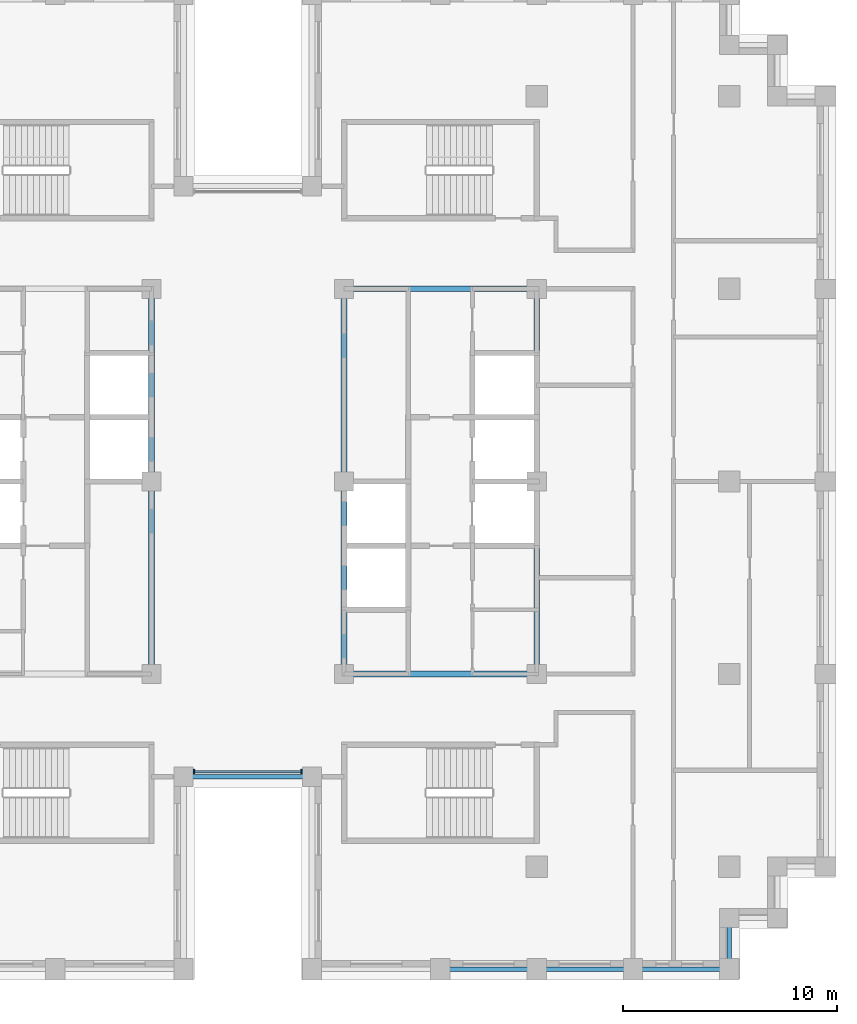
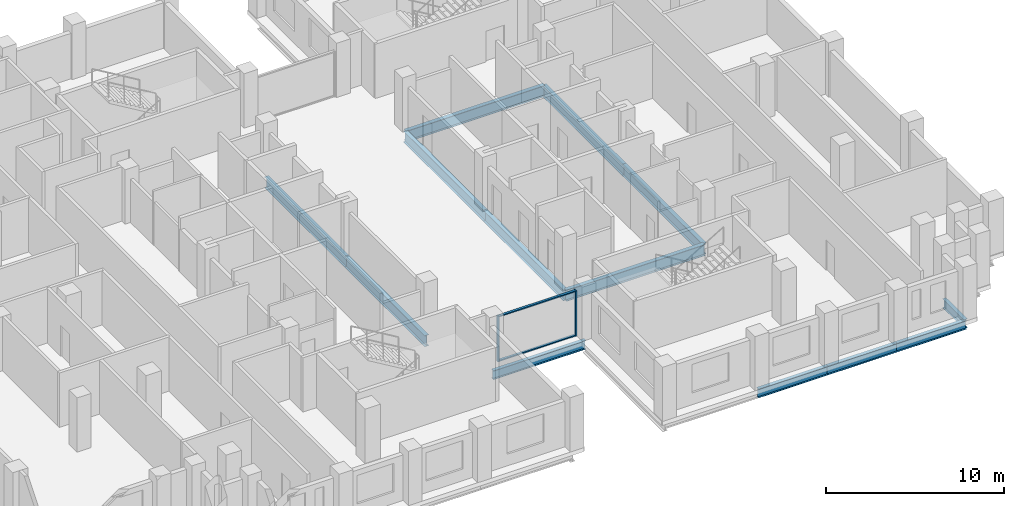
# One storey, part 2 of 15: 13 beams, 4 members, 1 element without a shape of its own.
"""IFC4 building model written with IfcOpenShell, lengths in metres."""

from ifc_helpers import new_model, si_unit, direction, frame, origin, origin_2d, place, context, subcontext, project, spatial, rectangle, i_section, extrude, material, layer, layer_set, material_profile, profile_set, type_object, element, aggregate, save


model = new_model("IFC4")

# Units and contexts
model_context = context("Model", 3, precision=1e-05, world=origin(), true_north=direction((0.0, 1.0)))
body_context = subcontext(model_context, "Body", "Model", "MODEL_VIEW")
ifc_project = project(units=[si_unit("LENGTHUNIT", "METRE"), si_unit("AREAUNIT", "SQUARE_METRE"), si_unit("VOLUMEUNIT", "CUBIC_METRE"), si_unit("PLANEANGLEUNIT", "RADIAN"), si_unit("MASSUNIT", "GRAM", prefix="KILO")], contexts=[model_context])

# Site, building, storey
site_placement = place(None, origin())
site = spatial("IfcSite", under=ifc_project, at=site_placement, CompositionType="ELEMENT")
building_placement = place(site_placement, origin())
building = spatial("IfcBuilding", under=site, at=building_placement, Name="Corbelhall Arena Tower", CompositionType="ELEMENT")
storey_placement = place(building_placement, frame((0.0, 0.0, 188.0)))
storey = spatial("IfcBuildingStorey", under=building, at=storey_placement, Name="L38", CompositionType="ELEMENT", Elevation=188.0)

# Curtain wall, members
ifc_material_1 = material(Name="Aluminium black anodised", Category="aluminium")
ifc_layer = layer(ifc_material_1, 0.199951171875)
ifc_layer_set = layer_set([ifc_layer], Name="EV-CW1 Slot back wall")
curtain_wall_type = type_object("IfcCurtainWallType", Name="EV-CW1 Slot back wall", PredefinedType="NOTDEFINED", material=ifc_layer_set)
curtain_wall_placement = place(storey_placement, origin())
curtain_wall = element("IfcCurtainWall", 1, at=curtain_wall_placement, inside=storey, type_object=curtain_wall_type, Name="Curtain wall CW1", PredefinedType="NOTDEFINED")
ifc_material_profile_1 = material_profile(ifc_material_1, rectangle(XDim=0.199951171875, YDim=0.074951171875, at=origin_2d()))
ifc_profile_set_1 = profile_set([ifc_material_profile_1], Name="Aluminium black anodised")
member_type_1 = type_object("IfcMemberType", Name="EV-CW1-MULLION", PredefinedType="MULLION", material=ifc_profile_set_1)
member_1_placement = place(storey_placement, frame((-2.512451171875, -13.550048828125, 0.0), z_axis=(0.0, 0.0, 1.0), x_axis=(0.0, 1.0, 0.0)))
member_1 = element("IfcMember", 2, at=member_1_placement, type_object=member_type_1, Name="CW1 mullion 1", PredefinedType="MULLION", context=body_context, shape_type="SweptSolid", body=[
    extrude(rectangle(XDim=0.199951171875, YDim=0.074951171875, at=origin_2d()), origin(), (0.0, 0.0, 1.0), 3.1201171875),
])
member_2_placement = place(storey_placement, frame((2.512451171875, -13.550048828125, 0.0), z_axis=(0.0, 0.0, 1.0), x_axis=(0.0, 1.0, 0.0)))
member_2 = element("IfcMember", 3, at=member_2_placement, type_object=member_type_1, Name="CW1 mullion 2", PredefinedType="MULLION", context=body_context, shape_type="SweptSolid", body=[
    extrude(rectangle(XDim=0.199951171875, YDim=0.074951171875, at=origin_2d()), origin(), (0.0, 0.0, 1.0), 3.1201171875),
])
ifc_material_profile_2 = material_profile(ifc_material_1, rectangle(XDim=0.14990234375, YDim=0.074951171875, at=origin_2d()))
ifc_profile_set_2 = profile_set([ifc_material_profile_2], Name="Aluminium black anodised")
member_type_2 = type_object("IfcMemberType", Name="EV-CW1-TRANSOM", PredefinedType="USERDEFINED", material=ifc_profile_set_2)
member_3_placement = place(storey_placement, frame((-2.47509765625, -13.550048828125, 0.03759765625), z_axis=(1.0, 0.0, 0.0), x_axis=(0.0, 1.0, 0.0)))
member_3 = element("IfcMember", 4, at=member_3_placement, type_object=member_type_2, Name="CW1 transom 1.1", ObjectType="transom", PredefinedType="USERDEFINED", context=body_context, shape_type="SweptSolid", body=[
    extrude(rectangle(XDim=0.14990234375, YDim=0.074951171875, at=origin_2d()), origin(), (0.0, 0.0, 1.0), 4.9501953125),
])
member_4_placement = place(storey_placement, frame((-2.47509765625, -13.550048828125, 3.08251953125), z_axis=(1.0, 0.0, 0.0), x_axis=(0.0, 1.0, 0.0)))
member_4 = element("IfcMember", 5, at=member_4_placement, type_object=member_type_2, Name="CW1 transom 1.2", ObjectType="transom", PredefinedType="USERDEFINED", context=body_context, shape_type="SweptSolid", body=[
    extrude(rectangle(XDim=0.14990234375, YDim=0.074951171875, at=origin_2d()), origin(), (0.0, 0.0, 1.0), 4.9501953125),
])
aggregate(curtain_wall, [member_1, member_2, member_3, member_4])

# Beams
ifc_material_2 = material(Name="Steel ASTM A992 Gr50", Category="steel")
ifc_material_profile_3 = material_profile(ifc_material_2, i_section(OverallWidth=0.2666015625, OverallDepth=0.761962890625, WebThickness=0.014404296875, FlangeThickness=0.021484375, at=origin_2d()))
ifc_profile_set_3 = profile_set([ifc_material_profile_3], Name="Steel ASTM A992 Gr50")
beam_type_1 = type_object("IfcBeamType", Name="ST-BEAM-W30x116", PredefinedType="BEAM", material=ifc_profile_set_3)
for number, where, z_axis, x_axis, name in (
    (6, (-4.5, -9.0, -0.660888671875), (0.0, 1.0, 0.0), (-1.0, 0.0, 0.0), "Beam CEW 3"),
    (7, (-4.5, 0.0, -0.660888671875), (0.0, 1.0, 0.0), (-1.0, 0.0, 0.0), "Beam CEW 4"),
    (8, (4.5, -9.0, -0.660888671875), (0.0, 1.0, 0.0), (-1.0, 0.0, 0.0), "Beam CEE 7"),
    (9, (4.5, 0.0, -0.660888671875), (0.0, 1.0, 0.0), (-1.0, 0.0, 0.0), "Beam CEE 8"),
    (10, (13.5, -9.0, -0.660888671875), (0.0, 1.0, 0.0), (-1.0, 0.0, 0.0), "Beam CEE 9"),
    (11, (13.5, 0.0, -0.660888671875), (0.0, 1.0, 0.0), (-1.0, 0.0, 0.0), "Beam CEE 10"),
    (12, (4.5, -9.0, -0.660888671875), (1.0, 0.0, 0.0), (0.0, 1.0, 0.0), "Beam CEE 11"),
    (13, (4.5, 9.0, -0.660888671875), (1.0, 0.0, 0.0), (0.0, 1.0, 0.0), "Beam CEE 12"),
):
    element("IfcBeam", number, at=place(storey_placement, frame(where, z_axis=z_axis, x_axis=x_axis)), inside=storey, type_object=beam_type_1, Name=name, PredefinedType="BEAM", context=body_context, shape_type="SweptSolid", body=[
        extrude(i_section(OverallWidth=0.2666015625, OverallDepth=0.761962890625, WebThickness=0.014404296875, FlangeThickness=0.021484375, at=origin_2d()), origin(), (0.0, 0.0, 1.0), 9.0),
    ])
ifc_material_profile_4 = material_profile(ifc_material_2, i_section(OverallWidth=0.228271484375, OverallDepth=0.607177734375, WebThickness=0.01123046875, FlangeThickness=0.017333984375, at=origin_2d()))
ifc_profile_set_4 = profile_set([ifc_material_profile_4], Name="Steel ASTM A992 Gr50")
beam_type_2 = type_object("IfcBeamType", Name="ST-SPANDREL-W24x76", PredefinedType="SPANDREL", material=ifc_profile_set_4)
for number, where, z_axis, x_axis, name in (
    (14, (13.5, -22.800048828125, -0.58349609375), (-1.0, 0.0, 0.0), (0.0, -1.0, 0.0), "Beam SP 25"),
    (15, (18.0, -22.800048828125, -0.58349609375), (-1.0, 0.0, 0.0), (0.0, -1.0, 0.0), "Beam SP 26"),
    (16, (22.5, -22.800048828125, -0.58349609375), (-1.0, 0.0, 0.0), (0.0, -1.0, 0.0), "Beam SP 27"),
):
    element("IfcBeam", number, at=place(storey_placement, frame(where, z_axis=z_axis, x_axis=x_axis)), inside=storey, type_object=beam_type_2, Name=name, PredefinedType="SPANDREL", context=body_context, shape_type="SweptSolid", body=[
        extrude(i_section(OverallWidth=0.228271484375, OverallDepth=0.607177734375, WebThickness=0.01123046875, FlangeThickness=0.017333984375, at=origin_2d()), origin(), (0.0, 0.0, 1.0), 4.5),
    ])
beam_1_placement = place(storey_placement, frame((3.0, -13.800048828125, -0.58349609375), z_axis=(-1.0, 0.0, 0.0), x_axis=(0.0, -1.0, 0.0)))
element("IfcBeam", 17, at=beam_1_placement, inside=storey, type_object=beam_type_2, Name="Beam SP 37", PredefinedType="SPANDREL", context=body_context, shape_type="SweptSolid", body=[
    extrude(i_section(OverallWidth=0.228271484375, OverallDepth=0.607177734375, WebThickness=0.01123046875, FlangeThickness=0.017333984375, at=origin_2d()), origin(), (0.0, 0.0, 1.0), 6.0),
])
beam_2_placement = place(storey_placement, frame((22.5, -20.39990234375, -0.58349609375), z_axis=(0.0, -1.0, 0.0), x_axis=(1.0, 0.0, 0.0)))
element("IfcBeam", 18, at=beam_2_placement, inside=storey, type_object=beam_type_2, Name="Beam SP 45", PredefinedType="SPANDREL", context=body_context, shape_type="SweptSolid", body=[
    extrude(i_section(OverallWidth=0.228271484375, OverallDepth=0.607177734375, WebThickness=0.01123046875, FlangeThickness=0.017333984375, at=origin_2d()), origin(), (0.0, 0.0, 1.0), 2.400146484375),
])

save(model, "model.ifc")
